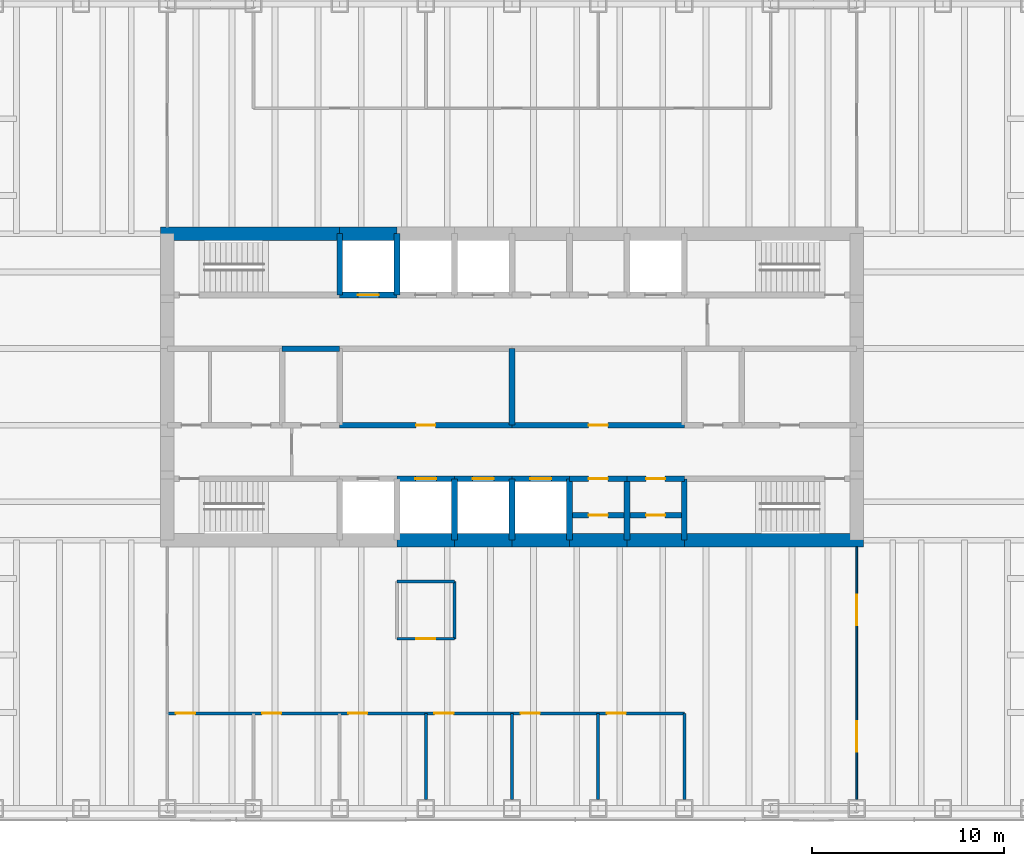
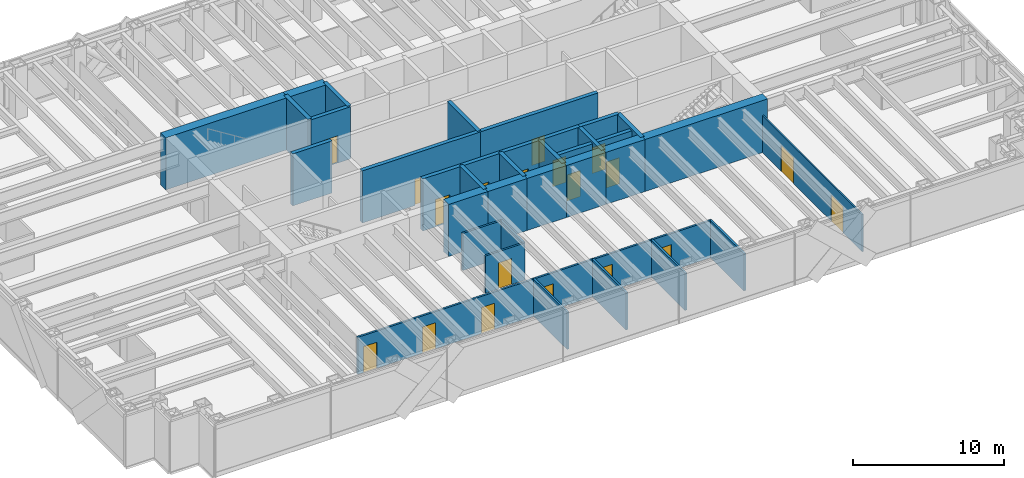
# One storey, part 14 of 17: 36 walls, 19 doors, 19 openings.
"""IFC4 building model written with IfcOpenShell, lengths in metres."""

from ifc_helpers import new_model, si_unit, direction, frame, frame_2d, origin, place, context, subcontext, project, spatial, rectangle, extrude, material, layer, layer_set, type_object, element, fill, save


model = new_model("IFC4")

# Units and contexts
model_context = context("Model", 3, precision=1e-05, world=origin(), true_north=direction((0.0, 1.0)))
body_context = subcontext(model_context, "Body", "Model", "MODEL_VIEW")
ifc_project = project(units=[si_unit("LENGTHUNIT", "METRE"), si_unit("AREAUNIT", "SQUARE_METRE"), si_unit("VOLUMEUNIT", "CUBIC_METRE"), si_unit("PLANEANGLEUNIT", "RADIAN"), si_unit("MASSUNIT", "GRAM", prefix="KILO")], contexts=[model_context])

# Site, building, storey
site_placement = place(None, origin())
site = spatial("IfcSite", under=ifc_project, at=site_placement, CompositionType="ELEMENT")
building_placement = place(site_placement, origin())
building = spatial("IfcBuilding", under=site, at=building_placement, Name="Rheinbord Bourse Tower", CompositionType="ELEMENT")
storey_placement = place(building_placement, frame((0.0, 0.0, 287.89990234375)))
storey = spatial("IfcBuildingStorey", under=building, at=storey_placement, Name="L65", CompositionType="ELEMENT", Elevation=287.89990234375)

# Wall, opening, door
ifc_material_1 = material(Name="Concrete C50/60", Category="concrete")
ifc_layer_1 = layer(ifc_material_1, 0.300048828125)
ifc_layer_set_1 = layer_set([ifc_layer_1], Name="CORE INNER WALL 300")
wall_type_1 = type_object("IfcWallType", Name="CORE INNER WALL 300", PredefinedType="SOLIDWALL", material=ifc_layer_set_1)
wall_1_placement = place(storey_placement, frame((30.0, 19.199951171875, 0.0), z_axis=(0.0, 0.0, 1.0), x_axis=(1.0, 0.0, 0.0)))
wall_1 = element("IfcWall", 1, at=wall_1_placement, inside=storey, type_object=wall_type_1, Name="Core wall A3 L65", PredefinedType="SOLIDWALL", context=body_context, shape_type="SweptSolid", body=[
    extrude(rectangle(XDim=3.0, YDim=0.300048828125, at=frame_2d((1.5, 0.0))), origin(), (0.0, 0.0, 1.0), 4.2001953125),
])
opening_1_placement = place(wall_1_placement, frame((0.949951171875, 0.0, 0.0)))
opening_1 = element("IfcOpeningElement", 2, at=opening_1_placement, cuts=wall_1, Name="Opening PD1", PredefinedType="OPENING", context=body_context, shape_type="SweptSolid", body=[
    extrude(rectangle(XDim=1.10009765625, YDim=2.199951171875, at=frame_2d((0.550048828125, 1.10009765625))), frame((0.0, 0.159912109375, 0.0), z_axis=(0.0, -1.0, 0.0), x_axis=(1.0, 0.0, 0.0)), (0.0, 0.0, 1.0), 0.320068359375),
])
ifc_material_2 = material(Name="Steel landing door", Category="steel")
door_type_1 = type_object("IfcDoorType", Name="LIFT LANDING DOOR 1100", OperationType="DOUBLE_DOOR_SLIDING", PredefinedType="USERDEFINED", material=ifc_material_2)
door_1_placement = place(opening_1_placement, origin())
door_1 = element("IfcDoor", 3, at=door_1_placement, inside=storey, type_object=door_type_1, Name="Lift landing door PD1 L65", ObjectType="LIFT LANDING DOOR", OperationType="DOUBLE_DOOR_SLIDING", OverallHeight=2.199951171875, OverallWidth=1.10009765625, PredefinedType="USERDEFINED", context=body_context, shape_type="SweptSolid", body=[
    extrude(rectangle(XDim=1.10009765625, YDim=2.199951171875, at=frame_2d((0.550048828125, 1.10009765625))), frame((0.0, 0.02490234375, 0.0), z_axis=(0.0, -1.0, 0.0), x_axis=(1.0, 0.0, 0.0)), (0.0, 0.0, 1.0), 0.050048828125),
])
fill(opening_1, door_1)

wall_2_placement = place(storey_placement, frame((33.0, 19.199951171875, 0.0), z_axis=(0.0, 0.0, 1.0), x_axis=(1.0, 0.0, 0.0)))
wall_2 = element("IfcWall", 4, at=wall_2_placement, inside=storey, type_object=wall_type_1, Name="Core wall A4 L65", PredefinedType="SOLIDWALL", context=body_context, shape_type="SweptSolid", body=[
    extrude(rectangle(XDim=3.0, YDim=0.300048828125, at=frame_2d((1.5, 0.0))), origin(), (0.0, 0.0, 1.0), 4.2001953125),
])
opening_2_placement = place(wall_2_placement, frame((0.949951171875, 0.0, 0.0)))
opening_2 = element("IfcOpeningElement", 5, at=opening_2_placement, cuts=wall_2, Name="Opening PD2", PredefinedType="OPENING", context=body_context, shape_type="SweptSolid", body=[
    extrude(rectangle(XDim=1.10009765625, YDim=2.199951171875, at=frame_2d((0.550048828125, 1.10009765625))), frame((0.0, 0.159912109375, 0.0), z_axis=(0.0, -1.0, 0.0), x_axis=(1.0, 0.0, 0.0)), (0.0, 0.0, 1.0), 0.320068359375),
])
door_2_placement = place(opening_2_placement, origin())
door_2 = element("IfcDoor", 6, at=door_2_placement, inside=storey, type_object=door_type_1, Name="Lift landing door PD2 L65", ObjectType="LIFT LANDING DOOR", OperationType="DOUBLE_DOOR_SLIDING", OverallHeight=2.199951171875, OverallWidth=1.10009765625, PredefinedType="USERDEFINED", context=body_context, shape_type="SweptSolid", body=[
    extrude(rectangle(XDim=1.10009765625, YDim=2.199951171875, at=frame_2d((0.550048828125, 1.10009765625))), frame((0.0, 0.02490234375, 0.0), z_axis=(0.0, -1.0, 0.0), x_axis=(1.0, 0.0, 0.0)), (0.0, 0.0, 1.0), 0.050048828125),
])
fill(opening_2, door_2)

wall_3_placement = place(storey_placement, frame((36.0, 19.199951171875, 0.0), z_axis=(0.0, 0.0, 1.0), x_axis=(1.0, 0.0, 0.0)))
wall_3 = element("IfcWall", 7, at=wall_3_placement, inside=storey, type_object=wall_type_1, Name="Core wall A5 L65", PredefinedType="SOLIDWALL", context=body_context, shape_type="SweptSolid", body=[
    extrude(rectangle(XDim=3.0, YDim=0.300048828125, at=frame_2d((1.5, 0.0))), origin(), (0.0, 0.0, 1.0), 4.2001953125),
])
opening_3_placement = place(wall_3_placement, frame((0.949951171875, 0.0, 0.0)))
opening_3 = element("IfcOpeningElement", 8, at=opening_3_placement, cuts=wall_3, Name="Opening PD3", PredefinedType="OPENING", context=body_context, shape_type="SweptSolid", body=[
    extrude(rectangle(XDim=1.10009765625, YDim=2.199951171875, at=frame_2d((0.550048828125, 1.10009765625))), frame((0.0, 0.159912109375, 0.0), z_axis=(0.0, -1.0, 0.0), x_axis=(1.0, 0.0, 0.0)), (0.0, 0.0, 1.0), 0.320068359375),
])
door_3_placement = place(opening_3_placement, origin())
door_3 = element("IfcDoor", 9, at=door_3_placement, inside=storey, type_object=door_type_1, Name="Lift landing door PD3 L65", ObjectType="LIFT LANDING DOOR", OperationType="DOUBLE_DOOR_SLIDING", OverallHeight=2.199951171875, OverallWidth=1.10009765625, PredefinedType="USERDEFINED", context=body_context, shape_type="SweptSolid", body=[
    extrude(rectangle(XDim=1.10009765625, YDim=2.199951171875, at=frame_2d((0.550048828125, 1.10009765625))), frame((0.0, 0.02490234375, 0.0), z_axis=(0.0, -1.0, 0.0), x_axis=(1.0, 0.0, 0.0)), (0.0, 0.0, 1.0), 0.050048828125),
])
fill(opening_3, door_3)

wall_4_placement = place(storey_placement, frame((39.0, 19.199951171875, 0.0), z_axis=(0.0, 0.0, 1.0), x_axis=(1.0, 0.0, 0.0)))
wall_4 = element("IfcWall", 10, at=wall_4_placement, inside=storey, type_object=wall_type_1, Name="Core wall A6 L65", PredefinedType="SOLIDWALL", context=body_context, shape_type="SweptSolid", body=[
    extrude(rectangle(XDim=3.0, YDim=0.300048828125, at=frame_2d((1.5, 0.0))), origin(), (0.0, 0.0, 1.0), 4.2001953125),
])
opening_4_placement = place(wall_4_placement, frame((1.0, 0.0, 0.0)))
opening_4 = element("IfcOpeningElement", 11, at=opening_4_placement, cuts=wall_4, Name="Opening 65R8", PredefinedType="OPENING", context=body_context, shape_type="SweptSolid", body=[
    extrude(rectangle(XDim=1.0, YDim=2.10009765625, at=frame_2d((0.5, 1.050048828125))), frame((0.0, 0.159912109375, 0.0), z_axis=(0.0, -1.0, 0.0), x_axis=(1.0, 0.0, 0.0)), (0.0, 0.0, 1.0), 0.320068359375),
])
ifc_material_3 = material(Name="Steel door", Category="steel")
door_type_2 = type_object("IfcDoorType", Name="DOOR 1000 EI30", OperationType="SINGLE_SWING_LEFT", PredefinedType="DOOR", material=ifc_material_3)
door_4_placement = place(opening_4_placement, origin())
door_4 = element("IfcDoor", 12, at=door_4_placement, inside=storey, type_object=door_type_2, Name="Cleaner's store door L65", OperationType="SINGLE_SWING_LEFT", OverallHeight=2.10009765625, OverallWidth=1.0, PredefinedType="DOOR", context=body_context, shape_type="SweptSolid", body=[
    extrude(rectangle(XDim=1.0, YDim=2.10009765625, at=frame_2d((0.5, 1.050048828125))), frame((0.0, 0.02490234375, 0.0), z_axis=(0.0, -1.0, 0.0), x_axis=(1.0, 0.0, 0.0)), (0.0, 0.0, 1.0), 0.050048828125),
])
fill(opening_4, door_4)

wall_5_placement = place(storey_placement, frame((42.0, 19.199951171875, 0.0), z_axis=(0.0, 0.0, 1.0), x_axis=(1.0, 0.0, 0.0)))
wall_5 = element("IfcWall", 13, at=wall_5_placement, inside=storey, type_object=wall_type_1, Name="Core wall A7 L65", PredefinedType="SOLIDWALL", context=body_context, shape_type="SweptSolid", body=[
    extrude(rectangle(XDim=3.0, YDim=0.300048828125, at=frame_2d((1.5, 0.0))), origin(), (0.0, 0.0, 1.0), 4.2001953125),
])
opening_5_placement = place(wall_5_placement, frame((1.0, 0.0, 0.0)))
opening_5 = element("IfcOpeningElement", 14, at=opening_5_placement, cuts=wall_5, Name="Opening 65R9", PredefinedType="OPENING", context=body_context, shape_type="SweptSolid", body=[
    extrude(rectangle(XDim=1.0, YDim=2.10009765625, at=frame_2d((0.5, 1.050048828125))), frame((0.0, 0.159912109375, 0.0), z_axis=(0.0, -1.0, 0.0), x_axis=(1.0, 0.0, 0.0)), (0.0, 0.0, 1.0), 0.320068359375),
])
door_5_placement = place(opening_5_placement, origin())
door_5 = element("IfcDoor", 15, at=door_5_placement, inside=storey, type_object=door_type_2, Name="Pantry door L65", OperationType="SINGLE_SWING_LEFT", OverallHeight=2.10009765625, OverallWidth=1.0, PredefinedType="DOOR", context=body_context, shape_type="SweptSolid", body=[
    extrude(rectangle(XDim=1.0, YDim=2.10009765625, at=frame_2d((0.5, 1.050048828125))), frame((0.0, 0.02490234375, 0.0), z_axis=(0.0, -1.0, 0.0), x_axis=(1.0, 0.0, 0.0)), (0.0, 0.0, 1.0), 0.050048828125),
])
fill(opening_5, door_5)

wall_6_placement = place(storey_placement, frame((27.0, 28.800048828125, 0.0), z_axis=(0.0, 0.0, 1.0), x_axis=(1.0, 0.0, 0.0)))
wall_6 = element("IfcWall", 16, at=wall_6_placement, inside=storey, type_object=wall_type_1, Name="Core wall B2 L65", PredefinedType="SOLIDWALL", context=body_context, shape_type="SweptSolid", body=[
    extrude(rectangle(XDim=3.0, YDim=0.300048828125, at=frame_2d((1.5, 0.0))), origin(), (0.0, 0.0, 1.0), 4.2001953125),
])
opening_6_placement = place(wall_6_placement, frame((0.949951171875, 0.0, 0.0)))
opening_6 = element("IfcOpeningElement", 17, at=opening_6_placement, cuts=wall_6, Name="Opening GL1", PredefinedType="OPENING", context=body_context, shape_type="SweptSolid", body=[
    extrude(rectangle(XDim=1.10009765625, YDim=2.199951171875, at=frame_2d((0.550048828125, 1.10009765625))), frame((0.0, 0.159912109375, 0.0), z_axis=(0.0, -1.0, 0.0), x_axis=(1.0, 0.0, 0.0)), (0.0, 0.0, 1.0), 0.320068359375),
])
door_6_placement = place(opening_6_placement, origin())
door_6 = element("IfcDoor", 18, at=door_6_placement, inside=storey, type_object=door_type_1, Name="Lift landing door GL1 L65", ObjectType="LIFT LANDING DOOR", OperationType="DOUBLE_DOOR_SLIDING", OverallHeight=2.199951171875, OverallWidth=1.10009765625, PredefinedType="USERDEFINED", context=body_context, shape_type="SweptSolid", body=[
    extrude(rectangle(XDim=1.10009765625, YDim=2.199951171875, at=frame_2d((0.550048828125, 1.10009765625))), frame((0.0, 0.02490234375, 0.0), z_axis=(0.0, -1.0, 0.0), x_axis=(1.0, 0.0, 0.0)), (0.0, 0.0, 1.0), 0.050048828125),
])
fill(opening_6, door_6)

wall_7_placement = place(storey_placement, frame((27.0, 22.0, 0.0), z_axis=(0.0, 0.0, 1.0), x_axis=(1.0, 0.0, 0.0)))
wall_7 = element("IfcWall", 19, at=wall_7_placement, inside=storey, type_object=wall_type_1, Name="Core wall C3 L65", PredefinedType="SOLIDWALL", context=body_context, shape_type="SweptSolid", body=[
    extrude(rectangle(XDim=9.0, YDim=0.300048828125, at=frame_2d((4.5, 0.0))), origin(), (0.0, 0.0, 1.0), 4.2001953125),
])
opening_7_placement = place(wall_7_placement, frame((4.0, 0.0, 0.0)))
opening_7 = element("IfcOpeningElement", 20, at=opening_7_placement, cuts=wall_7, Name="Opening 65R3", PredefinedType="OPENING", context=body_context, shape_type="SweptSolid", body=[
    extrude(rectangle(XDim=1.0, YDim=2.10009765625, at=frame_2d((0.5, 1.050048828125))), frame((0.0, 0.159912109375, 0.0), z_axis=(0.0, -1.0, 0.0), x_axis=(1.0, 0.0, 0.0)), (0.0, 0.0, 1.0), 0.320068359375),
])
door_7_placement = place(opening_7_placement, origin())
door_7 = element("IfcDoor", 21, at=door_7_placement, inside=storey, type_object=door_type_2, Name="Riser door L65", OperationType="SINGLE_SWING_LEFT", OverallHeight=2.10009765625, OverallWidth=1.0, PredefinedType="DOOR", context=body_context, shape_type="SweptSolid", body=[
    extrude(rectangle(XDim=1.0, YDim=2.10009765625, at=frame_2d((0.5, 1.050048828125))), frame((0.0, 0.02490234375, 0.0), z_axis=(0.0, -1.0, 0.0), x_axis=(1.0, 0.0, 0.0)), (0.0, 0.0, 1.0), 0.050048828125),
])
fill(opening_7, door_7)

wall_8_placement = place(storey_placement, frame((36.0, 22.0, 0.0), z_axis=(0.0, 0.0, 1.0), x_axis=(1.0, 0.0, 0.0)))
wall_8 = element("IfcWall", 22, at=wall_8_placement, inside=storey, type_object=wall_type_1, Name="Core wall C4 L65", PredefinedType="SOLIDWALL", context=body_context, shape_type="SweptSolid", body=[
    extrude(rectangle(XDim=9.0, YDim=0.300048828125, at=frame_2d((4.5, 0.0))), origin(), (0.0, 0.0, 1.0), 4.2001953125),
])
opening_8_placement = place(wall_8_placement, frame((4.0, 0.0, 0.0)))
opening_8 = element("IfcOpeningElement", 23, at=opening_8_placement, cuts=wall_8, Name="Opening 65R4", PredefinedType="OPENING", context=body_context, shape_type="SweptSolid", body=[
    extrude(rectangle(XDim=1.0, YDim=2.10009765625, at=frame_2d((0.5, 1.050048828125))), frame((0.0, 0.159912109375, 0.0), z_axis=(0.0, -1.0, 0.0), x_axis=(1.0, 0.0, 0.0)), (0.0, 0.0, 1.0), 0.320068359375),
])
door_8_placement = place(opening_8_placement, origin())
door_8 = element("IfcDoor", 24, at=door_8_placement, inside=storey, type_object=door_type_2, Name="Store door L65", OperationType="SINGLE_SWING_LEFT", OverallHeight=2.10009765625, OverallWidth=1.0, PredefinedType="DOOR", context=body_context, shape_type="SweptSolid", body=[
    extrude(rectangle(XDim=1.0, YDim=2.10009765625, at=frame_2d((0.5, 1.050048828125))), frame((0.0, 0.02490234375, 0.0), z_axis=(0.0, -1.0, 0.0), x_axis=(1.0, 0.0, 0.0)), (0.0, 0.0, 1.0), 0.050048828125),
])
fill(opening_8, door_8)

# Walls
wall_9_placement = place(storey_placement, frame((24.0, 26.0, 0.0), z_axis=(0.0, 0.0, 1.0), x_axis=(1.0, 0.0, 0.0)))
element("IfcWall", 25, at=wall_9_placement, inside=storey, type_object=wall_type_1, Name="Core wall D2 L65", PredefinedType="SOLIDWALL", context=body_context, shape_type="SweptSolid", body=[
    extrude(rectangle(XDim=3.0, YDim=0.300048828125, at=frame_2d((1.5, 0.0))), origin(), (0.0, 0.0, 1.0), 4.2001953125),
])
for number, where, z_axis, x_axis, name in (
    (26, (27.0, 28.800048828125, 0.0), (0.0, 0.0, 1.0), (0.0, 1.0, 0.0), "Core wall NX27 L65"),
    (27, (30.0, 28.800048828125, 0.0), (0.0, 0.0, 1.0), (0.0, 1.0, 0.0), "Core wall NX30 L65"),
    (28, (33.0, 16.0, 0.0), (0.0, 0.0, 1.0), (0.0, 1.0, 0.0), "Core wall SX33 L65"),
    (29, (36.0, 16.0, 0.0), (0.0, 0.0, 1.0), (0.0, 1.0, 0.0), "Core wall SX36 L65"),
    (30, (39.0, 16.0, 0.0), (0.0, 0.0, 1.0), (0.0, 1.0, 0.0), "Core wall SX39 L65"),
    (31, (42.0, 16.0, 0.0), (0.0, 0.0, 1.0), (0.0, 1.0, 0.0), "Core wall SX42 L65"),
    (32, (45.0, 16.0, 0.0), (0.0, 0.0, 1.0), (0.0, 1.0, 0.0), "Core wall SX45 L65"),
):
    element("IfcWall", number, at=place(storey_placement, frame(where, z_axis=z_axis, x_axis=x_axis)), inside=storey, type_object=wall_type_1, Name=name, PredefinedType="SOLIDWALL", context=body_context, shape_type="SweptSolid", body=[
        extrude(rectangle(XDim=3.199951171875, YDim=0.300048828125, at=frame_2d((1.60009765625, 0.0))), origin(), (0.0, 0.0, 1.0), 4.2001953125),
    ])
wall_10_placement = place(storey_placement, frame((36.0, 22.0, 0.0), z_axis=(0.0, 0.0, 1.0), x_axis=(0.0, 1.0, 0.0)))
element("IfcWall", 33, at=wall_10_placement, inside=storey, type_object=wall_type_1, Name="Core wall MX36 L65", PredefinedType="SOLIDWALL", context=body_context, shape_type="SweptSolid", body=[
    extrude(rectangle(XDim=4.0, YDim=0.300048828125, at=frame_2d((2.0, 0.0))), origin(), (0.0, 0.0, 1.0), 4.2001953125),
])

# Wall, opening, door
wall_11_placement = place(storey_placement, frame((39.14990234375, 17.300048828125, 0.0), z_axis=(0.0, 0.0, 1.0), x_axis=(1.0, 0.0, 0.0)))
wall_11 = element("IfcWall", 34, at=wall_11_placement, inside=storey, type_object=wall_type_1, Name="Core riser wall L65-6", PredefinedType="SOLIDWALL", context=body_context, shape_type="SweptSolid", body=[
    extrude(rectangle(XDim=2.7001953125, YDim=0.300048828125, at=frame_2d((1.35009765625, 0.0))), origin(), (0.0, 0.0, 1.0), 4.0400390625),
])
opening_9_placement = place(wall_11_placement, frame((0.85009765625, 0.0, 0.0)))
opening_9 = element("IfcOpeningElement", 35, at=opening_9_placement, cuts=wall_11, Name="Opening 65R12", PredefinedType="OPENING", context=body_context, shape_type="SweptSolid", body=[
    extrude(rectangle(XDim=1.0, YDim=2.10009765625, at=frame_2d((0.5, 1.050048828125))), frame((0.0, 0.159912109375, 0.0), z_axis=(0.0, -1.0, 0.0), x_axis=(1.0, 0.0, 0.0)), (0.0, 0.0, 1.0), 0.320068359375),
])
door_9_placement = place(opening_9_placement, origin())
door_9 = element("IfcDoor", 36, at=door_9_placement, inside=storey, type_object=door_type_2, Name="Comms riser door L65", OperationType="SINGLE_SWING_LEFT", OverallHeight=2.10009765625, OverallWidth=1.0, PredefinedType="DOOR", context=body_context, shape_type="SweptSolid", body=[
    extrude(rectangle(XDim=1.0, YDim=2.10009765625, at=frame_2d((0.5, 1.050048828125))), frame((0.0, 0.02490234375, 0.0), z_axis=(0.0, -1.0, 0.0), x_axis=(1.0, 0.0, 0.0)), (0.0, 0.0, 1.0), 0.050048828125),
])
fill(opening_9, door_9)

wall_12_placement = place(storey_placement, frame((42.14990234375, 17.300048828125, 0.0), z_axis=(0.0, 0.0, 1.0), x_axis=(1.0, 0.0, 0.0)))
wall_12 = element("IfcWall", 37, at=wall_12_placement, inside=storey, type_object=wall_type_1, Name="Core riser wall L65-7", PredefinedType="SOLIDWALL", context=body_context, shape_type="SweptSolid", body=[
    extrude(rectangle(XDim=2.7001953125, YDim=0.300048828125, at=frame_2d((1.35009765625, 0.0))), origin(), (0.0, 0.0, 1.0), 4.0400390625),
])
opening_10_placement = place(wall_12_placement, frame((0.85009765625, 0.0, 0.0)))
opening_10 = element("IfcOpeningElement", 38, at=opening_10_placement, cuts=wall_12, Name="Opening 65R13", PredefinedType="OPENING", context=body_context, shape_type="SweptSolid", body=[
    extrude(rectangle(XDim=1.0, YDim=2.10009765625, at=frame_2d((0.5, 1.050048828125))), frame((0.0, 0.159912109375, 0.0), z_axis=(0.0, -1.0, 0.0), x_axis=(1.0, 0.0, 0.0)), (0.0, 0.0, 1.0), 0.320068359375),
])
door_10_placement = place(opening_10_placement, origin())
door_10 = element("IfcDoor", 39, at=door_10_placement, inside=storey, type_object=door_type_2, Name="Electrical riser door L65", OperationType="SINGLE_SWING_LEFT", OverallHeight=2.10009765625, OverallWidth=1.0, PredefinedType="DOOR", context=body_context, shape_type="SweptSolid", body=[
    extrude(rectangle(XDim=1.0, YDim=2.10009765625, at=frame_2d((0.5, 1.050048828125))), frame((0.0, 0.02490234375, 0.0), z_axis=(0.0, -1.0, 0.0), x_axis=(1.0, 0.0, 0.0)), (0.0, 0.0, 1.0), 0.050048828125),
])
fill(opening_10, door_10)

# Walls
ifc_material_4 = material(Name="Concrete C50/60", Category="concrete")
ifc_layer_2 = layer(ifc_material_4, 0.699951171875)
ifc_layer_set_2 = layer_set([ifc_layer_2], Name="CORE WALL 700")
wall_type_2 = type_object("IfcWallType", Name="CORE WALL 700", PredefinedType="SHEAR", material=ifc_layer_set_2)
for number, where, z_axis, x_axis, name in (
    (40, (30.0, 16.0, 0.0), (0.0, 0.0, 1.0), (1.0, 0.0, 0.0), "Core wall S3 L65"),
    (41, (33.0, 16.0, 0.0), (0.0, 0.0, 1.0), (1.0, 0.0, 0.0), "Core wall S4 L65"),
    (42, (36.0, 16.0, 0.0), (0.0, 0.0, 1.0), (1.0, 0.0, 0.0), "Core wall S5 L65"),
    (43, (39.0, 16.0, 0.0), (0.0, 0.0, 1.0), (1.0, 0.0, 0.0), "Core wall S6 L65"),
    (44, (42.0, 16.0, 0.0), (0.0, 0.0, 1.0), (1.0, 0.0, 0.0), "Core wall S7 L65"),
):
    element("IfcWall", number, at=place(storey_placement, frame(where, z_axis=z_axis, x_axis=x_axis)), inside=storey, type_object=wall_type_2, Name=name, PredefinedType="SHEAR", context=body_context, shape_type="SweptSolid", body=[
        extrude(rectangle(XDim=3.0, YDim=0.699951171875, at=frame_2d((1.5, 0.0))), origin(), (0.0, 0.0, 1.0), 4.2001953125),
    ])
wall_13_placement = place(storey_placement, frame((45.0, 16.0, 0.0), z_axis=(0.0, 0.0, 1.0), x_axis=(1.0, 0.0, 0.0)))
element("IfcWall", 45, at=wall_13_placement, inside=storey, type_object=wall_type_2, Name="Core wall S8 L65", PredefinedType="SHEAR", context=body_context, shape_type="SweptSolid", body=[
    extrude(rectangle(XDim=9.35009765625, YDim=0.699951171875, at=frame_2d((4.675048828125, 0.0))), origin(), (0.0, 0.0, 1.0), 4.2001953125),
])
wall_14_placement = place(storey_placement, frame((30.0, 32.0, 0.0), z_axis=(0.0, 0.0, 1.0), x_axis=(-1.0, 0.0, 0.0)))
element("IfcWall", 46, at=wall_14_placement, inside=storey, type_object=wall_type_2, Name="Core wall N7 L65", PredefinedType="SHEAR", context=body_context, shape_type="SweptSolid", body=[
    extrude(rectangle(XDim=3.0, YDim=0.699951171875, at=frame_2d((1.5, 0.0))), origin(), (0.0, 0.0, 1.0), 4.2001953125),
])
wall_15_placement = place(storey_placement, frame((27.0, 32.0, 0.0), z_axis=(0.0, 0.0, 1.0), x_axis=(-1.0, 0.0, 0.0)))
element("IfcWall", 47, at=wall_15_placement, inside=storey, type_object=wall_type_2, Name="Core wall N8 L65", PredefinedType="SHEAR", context=body_context, shape_type="SweptSolid", body=[
    extrude(rectangle(XDim=9.35009765625, YDim=0.699951171875, at=frame_2d((4.675048828125, 0.0))), origin(), (0.0, 0.0, 1.0), 4.2001953125),
])

# Wall, openings, doors
ifc_material_5 = material(Name="Toughened laminated glass partition", Category="glass")
ifc_layer_3 = layer(ifc_material_5, 0.10009765625)
ifc_layer_set_3 = layer_set([ifc_layer_3], Name="GLAZED PARTITION 100")
wall_type_3 = type_object("IfcWallType", Name="GLAZED PARTITION 100", PredefinedType="PARTITIONING", material=ifc_layer_set_3)
wall_16_placement = place(storey_placement, frame((54.0, 2.449951171875, 0.0), z_axis=(0.0, 0.0, 1.0), x_axis=(0.0, 1.0, 0.0)))
wall_16 = element("IfcWall", 48, at=wall_16_placement, inside=storey, type_object=wall_type_3, Name="Partition L65-32", PredefinedType="PARTITIONING", context=body_context, shape_type="SweptSolid", body=[
    extrude(rectangle(XDim=13.199951171875, YDim=0.10009765625, at=frame_2d((6.60009765625, 0.0))), origin(), (0.0, 0.0, 1.0), 3.0),
])
opening_11_placement = place(wall_16_placement, frame((2.5, 0.0, 0.0)))
opening_11 = element("IfcOpeningElement", 49, at=opening_11_placement, cuts=wall_16, Name="Opening 65D18", PredefinedType="OPENING", context=body_context, shape_type="SweptSolid", body=[
    extrude(rectangle(XDim=1.60009765625, YDim=2.10009765625, at=frame_2d((0.800048828125, 1.050048828125))), frame((0.0, 0.06005859375, 0.0), z_axis=(0.0, -1.0, 0.0), x_axis=(1.0, 0.0, 0.0)), (0.0, 0.0, 1.0), 0.1201171875),
])
opening_12_placement = place(wall_16_placement, frame((9.10009765625, 0.0, 0.0)))
opening_12 = element("IfcOpeningElement", 50, at=opening_12_placement, cuts=wall_16, Name="Opening 65D19", PredefinedType="OPENING", context=body_context, shape_type="SweptSolid", body=[
    extrude(rectangle(XDim=1.60009765625, YDim=2.10009765625, at=frame_2d((0.800048828125, 1.050048828125))), frame((0.0, 0.06005859375, 0.0), z_axis=(0.0, -1.0, 0.0), x_axis=(1.0, 0.0, 0.0)), (0.0, 0.0, 1.0), 0.1201171875),
])
ifc_material_6 = material(Name="Timber door", Category="wood")
door_type_3 = type_object("IfcDoorType", Name="DOUBLE ROOM DOOR 1600", OperationType="DOUBLE_DOOR_DOUBLE_SWING", PredefinedType="DOOR", material=ifc_material_6)
door_11_placement = place(opening_11_placement, origin())
door_11 = element("IfcDoor", 51, at=door_11_placement, inside=storey, type_object=door_type_3, Name="Open area door L65", OperationType="SINGLE_SWING_LEFT", OverallHeight=2.10009765625, OverallWidth=1.60009765625, PredefinedType="DOOR", context=body_context, shape_type="SweptSolid", body=[
    extrude(rectangle(XDim=1.60009765625, YDim=2.10009765625, at=frame_2d((0.800048828125, 1.050048828125))), frame((0.0, 0.02490234375, 0.0), z_axis=(0.0, -1.0, 0.0), x_axis=(1.0, 0.0, 0.0)), (0.0, 0.0, 1.0), 0.050048828125),
])
fill(opening_11, door_11)
door_12_placement = place(opening_12_placement, origin())
door_12 = element("IfcDoor", 52, at=door_12_placement, inside=storey, type_object=door_type_3, Name="Open area door L65", OperationType="SINGLE_SWING_LEFT", OverallHeight=2.10009765625, OverallWidth=1.60009765625, PredefinedType="DOOR", context=body_context, shape_type="SweptSolid", body=[
    extrude(rectangle(XDim=1.60009765625, YDim=2.10009765625, at=frame_2d((0.800048828125, 1.050048828125))), frame((0.0, 0.02490234375, 0.0), z_axis=(0.0, -1.0, 0.0), x_axis=(1.0, 0.0, 0.0)), (0.0, 0.0, 1.0), 0.050048828125),
])
fill(opening_12, door_12)

ifc_material_7 = material(Name="Gypsum board partition", Category="gypsum board")
ifc_layer_4 = layer(ifc_material_7, 0.14990234375)
ifc_layer_set_4 = layer_set([ifc_layer_4], Name="PARTITION 150")
wall_type_4 = type_object("IfcWallType", Name="PARTITION 150", PredefinedType="PARTITIONING", material=ifc_layer_set_4)
wall_17_placement = place(storey_placement, frame((18.0, 6.949951171875, 0.0), z_axis=(0.0, 0.0, 1.0), x_axis=(1.0, 0.0, 0.0)))
wall_17 = element("IfcWall", 53, at=wall_17_placement, inside=storey, type_object=wall_type_4, Name="Partition L65-01", PredefinedType="PARTITIONING", context=body_context, shape_type="SweptSolid", body=[
    extrude(rectangle(XDim=27.0, YDim=0.14990234375, at=frame_2d((13.5, 0.0))), origin(), (0.0, 0.0, 1.0), 3.0),
])
opening_13_placement = place(wall_17_placement, frame((0.449951171875, 0.0, 0.0)))
opening_13 = element("IfcOpeningElement", 54, at=opening_13_placement, cuts=wall_17, Name="Opening 65D01", PredefinedType="OPENING", context=body_context, shape_type="SweptSolid", body=[
    extrude(rectangle(XDim=1.0, YDim=2.10009765625, at=frame_2d((0.5, 1.050048828125))), frame((0.0, 0.0849609375, 0.0), z_axis=(0.0, -1.0, 0.0), x_axis=(1.0, 0.0, 0.0)), (0.0, 0.0, 1.0), 0.169921875),
])
opening_14_placement = place(wall_17_placement, frame((4.949951171875, 0.0, 0.0)))
opening_14 = element("IfcOpeningElement", 55, at=opening_14_placement, cuts=wall_17, Name="Opening 65D02", PredefinedType="OPENING", context=body_context, shape_type="SweptSolid", body=[
    extrude(rectangle(XDim=1.0, YDim=2.10009765625, at=frame_2d((0.5, 1.050048828125))), frame((0.0, 0.0849609375, 0.0), z_axis=(0.0, -1.0, 0.0), x_axis=(1.0, 0.0, 0.0)), (0.0, 0.0, 1.0), 0.169921875),
])
opening_15_placement = place(wall_17_placement, frame((9.449951171875, 0.0, 0.0)))
opening_15 = element("IfcOpeningElement", 56, at=opening_15_placement, cuts=wall_17, Name="Opening 65D03", PredefinedType="OPENING", context=body_context, shape_type="SweptSolid", body=[
    extrude(rectangle(XDim=1.0, YDim=2.10009765625, at=frame_2d((0.5, 1.050048828125))), frame((0.0, 0.0849609375, 0.0), z_axis=(0.0, -1.0, 0.0), x_axis=(1.0, 0.0, 0.0)), (0.0, 0.0, 1.0), 0.169921875),
])
opening_16_placement = place(wall_17_placement, frame((13.949951171875, 0.0, 0.0)))
opening_16 = element("IfcOpeningElement", 57, at=opening_16_placement, cuts=wall_17, Name="Opening 65D04", PredefinedType="OPENING", context=body_context, shape_type="SweptSolid", body=[
    extrude(rectangle(XDim=1.0, YDim=2.10009765625, at=frame_2d((0.5, 1.050048828125))), frame((0.0, 0.0849609375, 0.0), z_axis=(0.0, -1.0, 0.0), x_axis=(1.0, 0.0, 0.0)), (0.0, 0.0, 1.0), 0.169921875),
])
opening_17_placement = place(wall_17_placement, frame((18.449951171875, 0.0, 0.0)))
opening_17 = element("IfcOpeningElement", 58, at=opening_17_placement, cuts=wall_17, Name="Opening 65D05", PredefinedType="OPENING", context=body_context, shape_type="SweptSolid", body=[
    extrude(rectangle(XDim=1.0, YDim=2.10009765625, at=frame_2d((0.5, 1.050048828125))), frame((0.0, 0.0849609375, 0.0), z_axis=(0.0, -1.0, 0.0), x_axis=(1.0, 0.0, 0.0)), (0.0, 0.0, 1.0), 0.169921875),
])
opening_18_placement = place(wall_17_placement, frame((22.949951171875, 0.0, 0.0)))
opening_18 = element("IfcOpeningElement", 59, at=opening_18_placement, cuts=wall_17, Name="Opening 65D06", PredefinedType="OPENING", context=body_context, shape_type="SweptSolid", body=[
    extrude(rectangle(XDim=1.0, YDim=2.10009765625, at=frame_2d((0.5, 1.050048828125))), frame((0.0, 0.0849609375, 0.0), z_axis=(0.0, -1.0, 0.0), x_axis=(1.0, 0.0, 0.0)), (0.0, 0.0, 1.0), 0.169921875),
])
ifc_material_8 = material(Name="Timber door", Category="wood")
door_type_4 = type_object("IfcDoorType", Name="ROOM DOOR 1000", OperationType="SINGLE_SWING_LEFT", PredefinedType="DOOR", material=ifc_material_8)
door_13_placement = place(opening_13_placement, origin())
door_13 = element("IfcDoor", 60, at=door_13_placement, inside=storey, type_object=door_type_4, Name="Office door L65", OperationType="SINGLE_SWING_LEFT", OverallHeight=2.10009765625, OverallWidth=1.0, PredefinedType="DOOR", context=body_context, shape_type="SweptSolid", body=[
    extrude(rectangle(XDim=1.0, YDim=2.10009765625, at=frame_2d((0.5, 1.050048828125))), frame((0.0, 0.02490234375, 0.0), z_axis=(0.0, -1.0, 0.0), x_axis=(1.0, 0.0, 0.0)), (0.0, 0.0, 1.0), 0.050048828125),
])
fill(opening_13, door_13)
door_14_placement = place(opening_14_placement, origin())
door_14 = element("IfcDoor", 61, at=door_14_placement, inside=storey, type_object=door_type_4, Name="Office door L65", OperationType="SINGLE_SWING_LEFT", OverallHeight=2.10009765625, OverallWidth=1.0, PredefinedType="DOOR", context=body_context, shape_type="SweptSolid", body=[
    extrude(rectangle(XDim=1.0, YDim=2.10009765625, at=frame_2d((0.5, 1.050048828125))), frame((0.0, 0.02490234375, 0.0), z_axis=(0.0, -1.0, 0.0), x_axis=(1.0, 0.0, 0.0)), (0.0, 0.0, 1.0), 0.050048828125),
])
fill(opening_14, door_14)
door_15_placement = place(opening_15_placement, origin())
door_15 = element("IfcDoor", 62, at=door_15_placement, inside=storey, type_object=door_type_4, Name="Office door L65", OperationType="SINGLE_SWING_LEFT", OverallHeight=2.10009765625, OverallWidth=1.0, PredefinedType="DOOR", context=body_context, shape_type="SweptSolid", body=[
    extrude(rectangle(XDim=1.0, YDim=2.10009765625, at=frame_2d((0.5, 1.050048828125))), frame((0.0, 0.02490234375, 0.0), z_axis=(0.0, -1.0, 0.0), x_axis=(1.0, 0.0, 0.0)), (0.0, 0.0, 1.0), 0.050048828125),
])
fill(opening_15, door_15)
door_16_placement = place(opening_16_placement, origin())
door_16 = element("IfcDoor", 63, at=door_16_placement, inside=storey, type_object=door_type_4, Name="Office door L65", OperationType="SINGLE_SWING_RIGHT", OverallHeight=2.10009765625, OverallWidth=1.0, PredefinedType="DOOR", context=body_context, shape_type="SweptSolid", body=[
    extrude(rectangle(XDim=1.0, YDim=2.10009765625, at=frame_2d((0.5, 1.050048828125))), frame((0.0, 0.02490234375, 0.0), z_axis=(0.0, -1.0, 0.0), x_axis=(1.0, 0.0, 0.0)), (0.0, 0.0, 1.0), 0.050048828125),
])
fill(opening_16, door_16)
door_17_placement = place(opening_17_placement, origin())
door_17 = element("IfcDoor", 64, at=door_17_placement, inside=storey, type_object=door_type_4, Name="Office door L65", OperationType="SINGLE_SWING_RIGHT", OverallHeight=2.10009765625, OverallWidth=1.0, PredefinedType="DOOR", context=body_context, shape_type="SweptSolid", body=[
    extrude(rectangle(XDim=1.0, YDim=2.10009765625, at=frame_2d((0.5, 1.050048828125))), frame((0.0, 0.02490234375, 0.0), z_axis=(0.0, -1.0, 0.0), x_axis=(1.0, 0.0, 0.0)), (0.0, 0.0, 1.0), 0.050048828125),
])
fill(opening_17, door_17)
door_18_placement = place(opening_18_placement, origin())
door_18 = element("IfcDoor", 65, at=door_18_placement, inside=storey, type_object=door_type_4, Name="Office door L65", OperationType="SINGLE_SWING_RIGHT", OverallHeight=2.10009765625, OverallWidth=1.0, PredefinedType="DOOR", context=body_context, shape_type="SweptSolid", body=[
    extrude(rectangle(XDim=1.0, YDim=2.10009765625, at=frame_2d((0.5, 1.050048828125))), frame((0.0, 0.02490234375, 0.0), z_axis=(0.0, -1.0, 0.0), x_axis=(1.0, 0.0, 0.0)), (0.0, 0.0, 1.0), 0.050048828125),
])
fill(opening_18, door_18)

# Wall, opening, door
wall_18_placement = place(storey_placement, frame((30.0, 10.85009765625, 0.0), z_axis=(0.0, 0.0, 1.0), x_axis=(1.0, 0.0, 0.0)))
wall_18 = element("IfcWall", 66, at=wall_18_placement, inside=storey, type_object=wall_type_4, Name="Partition L65-02", PredefinedType="PARTITIONING", context=body_context, shape_type="SweptSolid", body=[
    extrude(rectangle(XDim=3.0, YDim=0.14990234375, at=frame_2d((1.5, 0.0))), origin(), (0.0, 0.0, 1.0), 3.0),
])
opening_19_placement = place(wall_18_placement, frame((1.0, 0.0, 0.0)))
opening_19 = element("IfcOpeningElement", 67, at=opening_19_placement, cuts=wall_18, Name="Opening 65D07", PredefinedType="OPENING", context=body_context, shape_type="SweptSolid", body=[
    extrude(rectangle(XDim=1.0, YDim=2.10009765625, at=frame_2d((0.5, 1.050048828125))), frame((0.0, 0.0849609375, 0.0), z_axis=(0.0, -1.0, 0.0), x_axis=(1.0, 0.0, 0.0)), (0.0, 0.0, 1.0), 0.169921875),
])
door_19_placement = place(opening_19_placement, origin())
door_19 = element("IfcDoor", 68, at=door_19_placement, inside=storey, type_object=door_type_4, Name="Print room door L65", OperationType="SINGLE_SWING_LEFT", OverallHeight=2.10009765625, OverallWidth=1.0, PredefinedType="DOOR", context=body_context, shape_type="SweptSolid", body=[
    extrude(rectangle(XDim=1.0, YDim=2.10009765625, at=frame_2d((0.5, 1.050048828125))), frame((0.0, 0.02490234375, 0.0), z_axis=(0.0, -1.0, 0.0), x_axis=(1.0, 0.0, 0.0)), (0.0, 0.0, 1.0), 0.050048828125),
])
fill(opening_19, door_19)

# Walls
wall_19_placement = place(storey_placement, frame((30.0, 13.85009765625, 0.0), z_axis=(0.0, 0.0, 1.0), x_axis=(1.0, 0.0, 0.0)))
element("IfcWall", 69, at=wall_19_placement, inside=storey, type_object=wall_type_4, Name="Partition L65-04", PredefinedType="PARTITIONING", context=body_context, shape_type="SweptSolid", body=[
    extrude(rectangle(XDim=3.0, YDim=0.14990234375, at=frame_2d((1.5, 0.0))), origin(), (0.0, 0.0, 1.0), 3.0),
])
wall_20_placement = place(storey_placement, frame((31.5, 2.449951171875, 0.0), z_axis=(0.0, 0.0, 1.0), x_axis=(0.0, 1.0, 0.0)))
element("IfcWall", 70, at=wall_20_placement, inside=storey, type_object=wall_type_4, Name="Partition L65-24", PredefinedType="PARTITIONING", context=body_context, shape_type="SweptSolid", body=[
    extrude(rectangle(XDim=4.5, YDim=0.14990234375, at=frame_2d((2.25, 0.0))), origin(), (0.0, 0.0, 1.0), 3.0),
])
wall_21_placement = place(storey_placement, frame((33.0, 10.85009765625, 0.0), z_axis=(0.0, 0.0, 1.0), x_axis=(0.0, 1.0, 0.0)))
element("IfcWall", 71, at=wall_21_placement, inside=storey, type_object=wall_type_4, Name="Partition L65-26", PredefinedType="PARTITIONING", context=body_context, shape_type="SweptSolid", body=[
    extrude(rectangle(XDim=3.0, YDim=0.14990234375, at=frame_2d((1.5, 0.0))), origin(), (0.0, 0.0, 1.0), 3.0),
])
for number, where, z_axis, x_axis, name in (
    (72, (36.0, 2.449951171875, 0.0), (0.0, 0.0, 1.0), (0.0, 1.0, 0.0), "Partition L65-27"),
    (73, (40.5, 2.449951171875, 0.0), (0.0, 0.0, 1.0), (0.0, 1.0, 0.0), "Partition L65-28"),
    (74, (45.0, 2.449951171875, 0.0), (0.0, 0.0, 1.0), (0.0, 1.0, 0.0), "Partition L65-30"),
):
    element("IfcWall", number, at=place(storey_placement, frame(where, z_axis=z_axis, x_axis=x_axis)), inside=storey, type_object=wall_type_4, Name=name, PredefinedType="PARTITIONING", context=body_context, shape_type="SweptSolid", body=[
        extrude(rectangle(XDim=4.5, YDim=0.14990234375, at=frame_2d((2.25, 0.0))), origin(), (0.0, 0.0, 1.0), 3.0),
    ])

save(model, "model.ifc")
